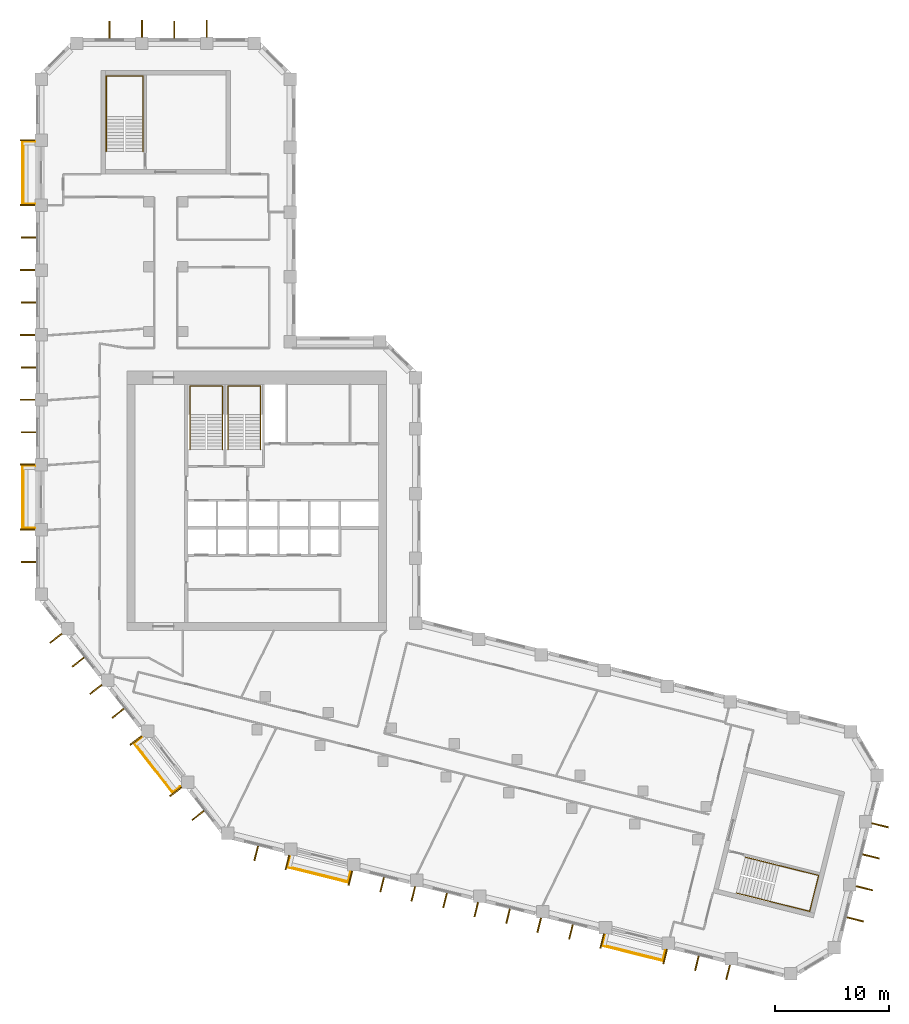
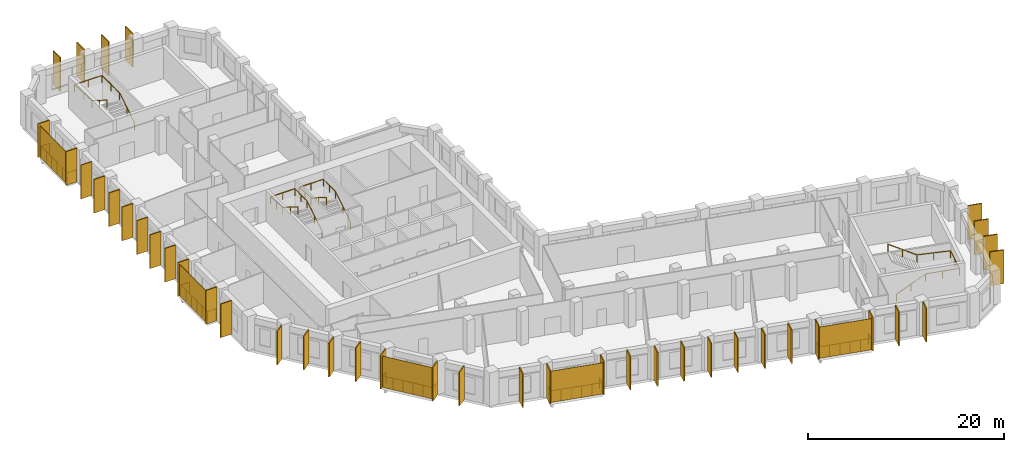
# One storey, part 10 of 10: 46 shading devices, 9 railings.
"""IFC4 building model written with IfcOpenShell, lengths in metres."""

from ifc_helpers import new_model, si_unit, direction, frame, origin, origin_2d, place, context, subcontext, project, spatial, rectangle, circle, extrude, material, layer, layer_set, type_object, element, save


model = new_model("IFC4")

# Units and contexts
model_context = context("Model", 3, precision=1e-05, world=origin(), true_north=direction((0.0, 1.0)))
body_context = subcontext(model_context, "Body", "Model", "MODEL_VIEW")
ifc_project = project(units=[si_unit("LENGTHUNIT", "METRE"), si_unit("AREAUNIT", "SQUARE_METRE"), si_unit("VOLUMEUNIT", "CUBIC_METRE"), si_unit("PLANEANGLEUNIT", "RADIAN"), si_unit("MASSUNIT", "GRAM", prefix="KILO")], contexts=[model_context])

# Site, building, storey
site_placement = place(None, origin())
site = spatial("IfcSite", under=ifc_project, at=site_placement, CompositionType="ELEMENT")
building_placement = place(site_placement, origin())
building = spatial("IfcBuilding", under=site, at=building_placement, Name="Meshkara Civic Tower", CompositionType="ELEMENT")
storey_placement = place(building_placement, frame((0.0, 0.0, 276.0)))
storey = spatial("IfcBuildingStorey", under=building, at=storey_placement, Name="L63", CompositionType="ELEMENT", Elevation=276.0)

# Railings
ifc_material_1 = material(Name="Steel S355", Category="steel")
railing_type_1 = type_object("IfcRailingType", Name="BALUSTRADE GUARD 1400", PredefinedType="BALUSTRADE", material=ifc_material_1)
for number, where, name in (
    (1, (-0.10009765625, 57.034912109375, 0.0), "Balcony guard"),
    (2, (-0.10009765625, 28.534912109375, 0.0), "Balcony guard"),
):
    element("IfcRailing", number, at=place(storey_placement, frame(where)), inside=storey, type_object=railing_type_1, Name=name, PredefinedType="BALUSTRADE", context=body_context, shape_type="SweptSolid", body=[
        extrude(circle(Radius=0.02392578125, at=origin_2d()), frame((0.0, 0.0, 1.3759765625), z_axis=(-1.0, 0.0, 0.0), x_axis=(0.0, -1.0, 0.0)), (0.0, 0.0, 1.0), 1.010009765625),
        extrude(circle(Radius=0.02392578125, at=origin_2d()), frame((-1.010009765625, 0.0, 1.3759765625), z_axis=(0.0, -1.0, 0.0), x_axis=(1.0, 0.0, 0.0)), (0.0, 0.0, 1.0), 5.4599609375),
        extrude(circle(Radius=0.02392578125, at=origin_2d()), frame((-1.010009765625, -5.4599609375, 1.3759765625), z_axis=(1.0, 0.0, 0.0), x_axis=(0.0, 1.0, 0.0)), (0.0, 0.0, 1.0), 1.010009765625),
        extrude(circle(Radius=0.02099609375, at=origin_2d()), origin(), (0.0, 0.0, 1.0), 1.351806640625),
        extrude(circle(Radius=0.02099609375, at=origin_2d()), frame((-1.010009765625, 0.0, 0.0)), (0.0, 0.0, 1.0), 1.351806640625),
        extrude(circle(Radius=0.02099609375, at=origin_2d()), frame((-1.010009765625, -1.092041015625, 0.0)), (0.0, 0.0, 1.0), 1.351806640625),
        extrude(circle(Radius=0.02099609375, at=origin_2d()), frame((-1.010009765625, -2.18408203125, 0.0)), (0.0, 0.0, 1.0), 1.351806640625),
        extrude(circle(Radius=0.02099609375, at=origin_2d()), frame((-1.010009765625, -3.27587890625, 0.0)), (0.0, 0.0, 1.0), 1.351806640625),
        extrude(circle(Radius=0.02099609375, at=origin_2d()), frame((-1.010009765625, -4.367919921875, 0.0)), (0.0, 0.0, 1.0), 1.351806640625),
        extrude(circle(Radius=0.02099609375, at=origin_2d()), frame((-1.010009765625, -5.4599609375, 0.0)), (0.0, 0.0, 1.0), 1.351806640625),
        extrude(circle(Radius=0.02099609375, at=origin_2d()), frame((0.0, -5.4599609375, 0.0)), (0.0, 0.0, 1.0), 1.351806640625),
    ])
railing_1_placement = place(storey_placement, frame((9.299072265625, 4.675048828125, 0.0)))
element("IfcRailing", 3, at=railing_1_placement, inside=storey, type_object=railing_type_1, Name="Balcony guard", PredefinedType="BALUSTRADE", context=body_context, shape_type="SweptSolid", body=[
    extrude(circle(Radius=0.02392578125, at=origin_2d()), frame((0.0, 0.0, 1.3759765625), z_axis=(-0.788099513408, -0.615547851078, 0.0), x_axis=(0.615547851078, -0.788099513408, 0.0)), (0.0, 0.0, 1.0), 0.7880859375),
    extrude(circle(Radius=0.02392578125, at=origin_2d()), frame((-0.62109375, -0.485107421875, 1.3759765625), z_axis=(0.615660530481, -0.788011491799, 0.0), x_axis=(0.788011491799, 0.615660530481, 0.0)), (0.0, 0.0, 1.0), 5.459228515625),
    extrude(circle(Radius=0.02392578125, at=origin_2d()), frame((2.739990234375, -4.787109375, 1.3759765625), z_axis=(0.787982092171, 0.615698158531, 0.0), x_axis=(-0.615698158531, 0.787982092171, 0.0)), (0.0, 0.0, 1.0), 0.787841796875),
    extrude(circle(Radius=0.02099609375, at=origin_2d()), origin(), (0.0, 0.0, 1.0), 1.351806640625),
    extrude(circle(Radius=0.02099609375, at=origin_2d()), frame((-0.62109375, -0.485107421875, 0.0)), (0.0, 0.0, 1.0), 1.351806640625),
    extrude(circle(Radius=0.02099609375, at=origin_2d()), frame((0.051025390625, -1.345458984375, 0.0)), (0.0, 0.0, 1.0), 1.351806640625),
    extrude(circle(Radius=0.02099609375, at=origin_2d()), frame((0.723388671875, -2.205810546875, 0.0)), (0.0, 0.0, 1.0), 1.351806640625),
    extrude(circle(Radius=0.02099609375, at=origin_2d()), frame((1.3955078125, -3.06640625, 0.0)), (0.0, 0.0, 1.0), 1.351806640625),
    extrude(circle(Radius=0.02099609375, at=origin_2d()), frame((2.06787109375, -3.9267578125, 0.0)), (0.0, 0.0, 1.0), 1.351806640625),
    extrude(circle(Radius=0.02099609375, at=origin_2d()), frame((2.739990234375, -4.787109375, 0.0)), (0.0, 0.0, 1.0), 1.351806640625),
    extrude(circle(Radius=0.02099609375, at=origin_2d()), frame((3.36083984375, -4.302001953125, 0.0)), (0.0, 0.0, 1.0), 1.351806640625),
])
railing_2_placement = place(storey_placement, frame((22.3369140625, -5.79296875, 0.0)))
element("IfcRailing", 4, at=railing_2_placement, inside=storey, type_object=railing_type_1, Name="Balcony guard", PredefinedType="BALUSTRADE", context=body_context, shape_type="SweptSolid", body=[
    extrude(circle(Radius=0.02392578125, at=origin_2d()), frame((0.0, 0.0, 1.3759765625), z_axis=(-0.241827521386, -0.970319251535, 0.0), x_axis=(0.970319251535, -0.241827521386, 0.0)), (0.0, 0.0, 1.0), 0.892333984375),
    extrude(circle(Radius=0.02392578125, at=origin_2d()), frame((-0.2158203125, -0.865966796875, 1.3759765625), z_axis=(0.970279141219, -0.24198840492, 0.0), x_axis=(0.24198840492, 0.970279141219, 0.0)), (0.0, 0.0, 1.0), 5.459228515625),
    extrude(circle(Radius=0.02392578125, at=origin_2d()), frame((5.0810546875, -2.18701171875, 1.3759765625), z_axis=(0.241828319243, 0.97031905269, 0.0), x_axis=(-0.97031905269, 0.241828319243, 0.0)), (0.0, 0.0, 1.0), 0.8935546875),
    extrude(circle(Radius=0.02099609375, at=origin_2d()), origin(), (0.0, 0.0, 1.0), 1.351806640625),
    extrude(circle(Radius=0.02099609375, at=origin_2d()), frame((-0.2158203125, -0.865966796875, 0.0)), (0.0, 0.0, 1.0), 1.351806640625),
    extrude(circle(Radius=0.02099609375, at=origin_2d()), frame((0.843505859375, -1.130126953125, 0.0)), (0.0, 0.0, 1.0), 1.351806640625),
    extrude(circle(Radius=0.02099609375, at=origin_2d()), frame((1.90283203125, -1.394287109375, 0.0)), (0.0, 0.0, 1.0), 1.351806640625),
    extrude(circle(Radius=0.02099609375, at=origin_2d()), frame((2.96240234375, -1.65869140625, 0.0)), (0.0, 0.0, 1.0), 1.351806640625),
    extrude(circle(Radius=0.02099609375, at=origin_2d()), frame((4.021728515625, -1.9228515625, 0.0)), (0.0, 0.0, 1.0), 1.351806640625),
    extrude(circle(Radius=0.02099609375, at=origin_2d()), frame((5.0810546875, -2.18701171875, 0.0)), (0.0, 0.0, 1.0), 1.351806640625),
    extrude(circle(Radius=0.02099609375, at=origin_2d()), frame((5.297119140625, -1.320068359375, 0.0)), (0.0, 0.0, 1.0), 1.351806640625),
])
railing_3_placement = place(storey_placement, frame((49.989990234375, -12.68701171875, 0.0)))
element("IfcRailing", 5, at=railing_3_placement, inside=storey, type_object=railing_type_1, Name="Balcony guard", PredefinedType="BALUSTRADE", context=body_context, shape_type="SweptSolid", body=[
    extrude(circle(Radius=0.02392578125, at=origin_2d()), frame((0.0, 0.0, 1.3759765625), z_axis=(-0.241828319243, -0.97031905269, 0.0), x_axis=(0.97031905269, -0.241828319243, 0.0)), (0.0, 0.0, 1.0), 0.8935546875),
    extrude(circle(Radius=0.02392578125, at=origin_2d()), frame((-0.216064453125, -0.866943359375, 1.3759765625), z_axis=(0.970292231073, -0.24193591366, 0.0), x_axis=(0.24193591366, 0.970292231073, 0.0)), (0.0, 0.0, 1.0), 5.460205078125),
    extrude(circle(Radius=0.02392578125, at=origin_2d()), frame((5.08203125, -2.18798828125, 1.3759765625), z_axis=(0.241828319243, 0.97031905269, 0.0), x_axis=(-0.97031905269, 0.241828319243, 0.0)), (0.0, 0.0, 1.0), 0.8935546875),
    extrude(circle(Radius=0.02099609375, at=origin_2d()), origin(), (0.0, 0.0, 1.0), 1.351806640625),
    extrude(circle(Radius=0.02099609375, at=origin_2d()), frame((-0.216064453125, -0.866943359375, 0.0)), (0.0, 0.0, 1.0), 1.351806640625),
    extrude(circle(Radius=0.02099609375, at=origin_2d()), frame((0.843505859375, -1.131103515625, 0.0)), (0.0, 0.0, 1.0), 1.351806640625),
    extrude(circle(Radius=0.02099609375, at=origin_2d()), frame((1.903076171875, -1.395263671875, 0.0)), (0.0, 0.0, 1.0), 1.351806640625),
    extrude(circle(Radius=0.02099609375, at=origin_2d()), frame((2.962890625, -1.65966796875, 0.0)), (0.0, 0.0, 1.0), 1.351806640625),
    extrude(circle(Radius=0.02099609375, at=origin_2d()), frame((4.0224609375, -1.923828125, 0.0)), (0.0, 0.0, 1.0), 1.351806640625),
    extrude(circle(Radius=0.02099609375, at=origin_2d()), frame((5.08203125, -2.18798828125, 0.0)), (0.0, 0.0, 1.0), 1.351806640625),
    extrude(circle(Radius=0.02099609375, at=origin_2d()), frame((5.298095703125, -1.321044921875, 0.0)), (0.0, 0.0, 1.0), 1.351806640625),
])

# Shading devices
ifc_material_2 = material(Name="Bronze anodised aluminium", Category="aluminium")
ifc_layer_1 = layer(ifc_material_2, 0.1201171875)
ifc_layer_set_1 = layer_set([ifc_layer_1], Name="BRONZE FIN 1300")
shading_device_type_1 = type_object("IfcShadingDeviceType", Name="BRONZE FIN 1300", PredefinedType="USERDEFINED", material=ifc_layer_set_1)
for number, where, z_axis, x_axis, name in (
    (6, (-0.75, 57.155029296875, 0.0), (0.0, 0.0, 1.0), (0.0, -1.0, 0.0), "Fin"),
    (7, (-0.75, 51.455078125, 0.0), (0.0, 0.0, 1.0), (0.0, -1.0, 0.0), "Fin"),
    (8, (-0.64990234375, 48.60498046875, 0.0), (0.0, 0.0, 1.0), (0.0, -1.0, 0.0), "Fin"),
    (9, (-0.75, 45.7548828125, 0.0), (0.0, 0.0, 1.0), (0.0, -1.0, 0.0), "Fin"),
    (10, (-0.64990234375, 42.905029296875, 0.0), (0.0, 0.0, 1.0), (0.0, -1.0, 0.0), "Fin"),
    (11, (-0.75, 40.054931640625, 0.0), (0.0, 0.0, 1.0), (0.0, -1.0, 0.0), "Fin"),
    (12, (-0.64990234375, 37.205078125, 0.0), (0.0, 0.0, 1.0), (0.0, -1.0, 0.0), "Fin"),
    (13, (-0.75, 34.35498046875, 0.0), (0.0, 0.0, 1.0), (0.0, -1.0, 0.0), "Fin"),
    (14, (-0.64990234375, 31.5048828125, 0.0), (0.0, 0.0, 1.0), (0.0, -1.0, 0.0), "Fin"),
    (15, (-0.75, 28.655029296875, 0.0), (0.0, 0.0, 1.0), (0.0, -1.0, 0.0), "Fin"),
    (16, (-0.75, 22.955078125, 0.0), (0.0, 0.0, 1.0), (0.0, -1.0, 0.0), "Fin"),
    (17, (-0.64990234375, 20.10498046875, 0.0), (0.0, 0.0, 1.0), (0.0, -1.0, 0.0), "Fin"),
    (18, (1.751953125, 13.39892578125, 0.0), (0.0, 0.0, 1.0), (0.615661475326, -0.788010753607, 0.0), "Fin"),
    (19, (3.701904296875, 11.305908203125, 0.0), (0.0, 0.0, 1.0), (0.615661475326, -0.788010753607, 0.0), "Fin"),
    (20, (5.260986328125, 8.906982421875, 0.0), (0.0, 0.0, 1.0), (0.615661475326, -0.788010753607, 0.0), "Fin"),
    (21, (7.2109375, 6.81396484375, 0.0), (0.0, 0.0, 1.0), (0.615661475326, -0.788010753607, 0.0), "Fin"),
    (22, (8.77099609375, 4.4150390625, 0.0), (0.0, 0.0, 1.0), (0.615661475326, -0.788010753607, 0.0), "Fin"),
    (23, (12.280029296875, -0.075927734375, 0.0), (0.0, 0.0, 1.0), (0.615661475326, -0.788010753607, 0.0), "Fin"),
    (24, (14.22998046875, -2.1689453125, 0.0), (0.0, 0.0, 1.0), (0.615661475326, -0.788010753607, 0.0), "Fin"),
    (25, (19.35009765625, -5.4951171875, 0.0), (0.0, 0.0, 1.0), (0.970299948462, -0.241904960708, 0.0), "Fin"),
    (26, (22.087890625, -6.298095703125, 0.0), (0.0, 0.0, 1.0), (0.970299948462, -0.241904960708, 0.0), "Fin"),
    (27, (27.617919921875, -7.677001953125, 0.0), (0.0, 0.0, 1.0), (0.970299948462, -0.241904960708, 0.0), "Fin"),
    (28, (30.412109375, -8.251953125, 0.0), (0.0, 0.0, 1.0), (0.970299948462, -0.241904960708, 0.0), "Fin"),
    (29, (33.14892578125, -9.055908203125, 0.0), (0.0, 0.0, 1.0), (0.970299948462, -0.241904960708, 0.0), "Fin"),
    (30, (35.94189453125, -9.631103515625, 0.0), (0.0, 0.0, 1.0), (0.970299948462, -0.241904960708, 0.0), "Fin"),
    (31, (38.679931640625, -10.43408203125, 0.0), (0.0, 0.0, 1.0), (0.970299948462, -0.241904960708, 0.0), "Fin"),
    (32, (41.472900390625, -11.010009765625, 0.0), (0.0, 0.0, 1.0), (0.970299948462, -0.241904960708, 0.0), "Fin"),
    (33, (44.2109375, -11.81298828125, 0.0), (0.0, 0.0, 1.0), (0.970299948462, -0.241904960708, 0.0), "Fin"),
    (34, (47.00390625, -12.388916015625, 0.0), (0.0, 0.0, 1.0), (0.970299948462, -0.241904960708, 0.0), "Fin"),
    (35, (49.740966796875, -13.19189453125, 0.0), (0.0, 0.0, 1.0), (0.970299948462, -0.241904960708, 0.0), "Fin"),
    (36, (55.27197265625, -14.571044921875, 0.0), (0.0, 0.0, 1.0), (0.970299948462, -0.241904960708, 0.0), "Fin"),
    (37, (58.06494140625, -15.14697265625, 0.0), (0.0, 0.0, 1.0), (0.970299948462, -0.241904960708, 0.0), "Fin"),
    (38, (60.802978515625, -15.949951171875, 0.0), (0.0, 0.0, 1.0), (0.970299948462, -0.241904960708, 0.0), "Fin"),
):
    element("IfcShadingDevice", number, at=place(storey_placement, frame(where, z_axis=z_axis, x_axis=x_axis)), inside=storey, type_object=shading_device_type_1, Name=name, ObjectType="FIN", PredefinedType="USERDEFINED", context=body_context, shape_type="SweptSolid", body=[
        extrude(rectangle(XDim=0.1201171875, YDim=1.300048828125, at=origin_2d()), origin(), (0.0, 0.0, 1.0), 4.199951171875),
    ])
ifc_material_3 = material(Name="Bronze anodised aluminium", Category="aluminium")
ifc_layer_2 = layer(ifc_material_3, 0.1201171875)
ifc_layer_set_2 = layer_set([ifc_layer_2], Name="BRONZE FIN 1500")
shading_device_type_2 = type_object("IfcShadingDeviceType", Name="BRONZE FIN 1500", PredefinedType="USERDEFINED", material=ifc_layer_set_2)
for number, where, z_axis, x_axis, name in (
    (39, (15.006103515625, 66.969970703125, 0.0), (0.0, 0.0, 1.0), (-1.0, 0.0, 0.0), "Fin"),
    (40, (12.156005859375, 66.8701171875, 0.0), (0.0, 0.0, 1.0), (-1.0, 0.0, 0.0), "Fin"),
    (41, (9.305908203125, 66.969970703125, 0.0), (0.0, 0.0, 1.0), (-1.0, 0.0, 0.0), "Fin"),
    (42, (6.4560546875, 66.8701171875, 0.0), (0.0, 0.0, 1.0), (-1.0, 0.0, 0.0), "Fin"),
    (43, (71.97607421875, -11.291015625, 0.0), (0.0, 0.0, 1.0), (0.2419218956, 0.970295726276, 0.0), "Fin"),
    (44, (72.779052734375, -8.553955078125, 0.0), (0.0, 0.0, 1.0), (0.2419218956, 0.970295726276, 0.0), "Fin"),
    (45, (73.35498046875, -5.760009765625, 0.0), (0.0, 0.0, 1.0), (0.2419218956, 0.970295726276, 0.0), "Fin"),
    (46, (74.157958984375, -3.02392578125, 0.0), (0.0, 0.0, 1.0), (0.2419218956, 0.970295726276, 0.0), "Fin"),
):
    element("IfcShadingDevice", number, at=place(storey_placement, frame(where, z_axis=z_axis, x_axis=x_axis)), inside=storey, type_object=shading_device_type_2, Name=name, ObjectType="FIN", PredefinedType="USERDEFINED", context=body_context, shape_type="SweptSolid", body=[
        extrude(rectangle(XDim=0.1201171875, YDim=1.5, at=origin_2d()), origin(), (0.0, 0.0, 1.0), 4.199951171875),
    ])
ifc_material_4 = material(Name="Perforated bronze anodised aluminium sheet", Category="aluminium")
ifc_layer_3 = layer(ifc_material_4, 0.0400390625)
ifc_layer_set_3 = layer_set([ifc_layer_3], Name="PERFORATED BRONZE SCREEN")
shading_device_type_3 = type_object("IfcShadingDeviceType", Name="PERFORATED BRONZE SCREEN", PredefinedType="USERDEFINED", material=ifc_layer_set_3)
for number, where, z_axis, x_axis, name in (
    (47, (-1.179931640625, 54.304931640625, 0.0), (0.0, 0.0, 1.0), (0.0, -1.0, 0.0), "Balcony screen"),
    (48, (-1.179931640625, 25.804931640625, 0.0), (0.0, 0.0, 1.0), (0.0, -1.0, 0.0), "Balcony screen"),
):
    element("IfcShadingDevice", number, at=place(storey_placement, frame(where, z_axis=z_axis, x_axis=x_axis)), inside=storey, type_object=shading_device_type_3, Name=name, ObjectType="SCREEN", PredefinedType="USERDEFINED", context=body_context, shape_type="SweptSolid", body=[
        extrude(rectangle(XDim=5.580078125, YDim=0.0400390625, at=origin_2d()), origin(), (0.0, 0.0, 1.0), 3.89990234375),
    ])
for number, where, z_axis, x_axis, name in (
    (49, (10.302978515625, 1.99609375, 0.0), (0.0, 0.0, 1.0), (0.615661475326, -0.788010753607, 0.0), "Balcony screen"),
    (50, (24.7529296875, -7.387939453125, 0.0), (0.0, 0.0, 1.0), (0.970299948462, -0.241904960708, 0.0), "Balcony screen"),
):
    element("IfcShadingDevice", number, at=place(storey_placement, frame(where, z_axis=z_axis, x_axis=x_axis)), inside=storey, type_object=shading_device_type_3, Name=name, ObjectType="SCREEN", PredefinedType="USERDEFINED", context=body_context, shape_type="SweptSolid", body=[
        extrude(rectangle(XDim=5.5791015625, YDim=0.0400390625, at=origin_2d()), origin(), (0.0, 0.0, 1.0), 3.89990234375),
    ])
shading_device_placement = place(storey_placement, frame((52.406005859375, -14.281982421875, 0.0), z_axis=(0.0, 0.0, 1.0), x_axis=(0.970299948462, -0.241904960708, 0.0)))
element("IfcShadingDevice", 51, at=shading_device_placement, inside=storey, type_object=shading_device_type_3, Name="Balcony screen", ObjectType="SCREEN", PredefinedType="USERDEFINED", context=body_context, shape_type="SweptSolid", body=[
    extrude(rectangle(XDim=5.580078125, YDim=0.0400390625, at=origin_2d()), origin(), (0.0, 0.0, 1.0), 3.89990234375),
])

# Railings
ifc_material_5 = material(Name="Steel handrail", Category="steel")
railing_type_2 = type_object("IfcRailingType", Name="Stair handrail 900", PredefinedType="HANDRAIL", material=ifc_material_5)
railing_4_placement = place(storey_placement, frame((16.375, 30.0, 0.175048828125)))
element("IfcRailing", 52, at=railing_4_placement, inside=storey, type_object=railing_type_2, Name="L63 ST1 stair handrail 1", PredefinedType="HANDRAIL", context=body_context, shape_type="SweptSolid", body=[
    extrude(circle(Radius=0.02392578125, at=origin_2d()), frame((0.0, 0.0, 0.8759765625), z_axis=(0.0, 0.847998304005, 0.529998940003), x_axis=(-1.0, 0.0, 0.0)), (0.0, 0.0, 1.0), 3.632080078125),
    extrude(circle(Radius=0.02392578125, at=origin_2d()), frame((0.0, 3.080078125, 2.80078125), z_axis=(0.0, 1.0, 0.0), x_axis=(-1.0, 0.0, 0.0)), (0.0, 0.0, 1.0), 2.469970703125),
    extrude(circle(Radius=0.02392578125, at=origin_2d()), frame((0.0, 5.550048828125, 2.80078125), z_axis=(-1.0, 0.0, 0.0), x_axis=(0.0, -1.0, 0.0)), (0.0, 0.0, 1.0), 2.85009765625),
    extrude(circle(Radius=0.02392578125, at=origin_2d()), frame((-2.85009765625, 5.550048828125, 2.80078125), z_axis=(0.0, -0.997505032726, 0.070595394231), x_axis=(1.0, 0.0, 0.0)), (0.0, 0.0, 1.0), 2.47607421875),
    extrude(circle(Radius=0.02392578125, at=origin_2d()), frame((-2.85009765625, 3.080078125, 2.9755859375), z_axis=(0.0, -0.847998304005, 0.529998940003), x_axis=(1.0, 0.0, 0.0)), (0.0, 0.0, 1.0), 3.632080078125),
    extrude(circle(Radius=0.02099609375, at=origin_2d()), origin(), (0.0, 0.0, 1.0), 0.851806640625),
    extrude(circle(Radius=0.02099609375, at=origin_2d()), frame((0.0, 1.5400390625, 0.96240234375)), (0.0, 0.0, 1.0), 0.851806640625),
    extrude(circle(Radius=0.02099609375, at=origin_2d()), frame((0.0, 3.080078125, 1.925048828125)), (0.0, 0.0, 1.0), 0.851806640625),
    extrude(circle(Radius=0.02099609375, at=origin_2d()), frame((0.0, 4.31494140625, 1.925048828125)), (0.0, 0.0, 1.0), 0.851806640625),
    extrude(circle(Radius=0.02099609375, at=origin_2d()), frame((0.0, 5.550048828125, 1.925048828125)), (0.0, 0.0, 1.0), 0.851806640625),
    extrude(circle(Radius=0.02099609375, at=origin_2d()), frame((-1.425048828125, 5.550048828125, 1.925048828125)), (0.0, 0.0, 1.0), 0.851806640625),
    extrude(circle(Radius=0.02099609375, at=origin_2d()), frame((-2.85009765625, 5.550048828125, 1.925048828125)), (0.0, 0.0, 1.0), 0.851806640625),
    extrude(circle(Radius=0.02099609375, at=origin_2d()), frame((-2.85009765625, 4.31494140625, 2.012451171875)), (0.0, 0.0, 1.0), 0.851806640625),
    extrude(circle(Radius=0.02099609375, at=origin_2d()), frame((-2.85009765625, 3.080078125, 2.099853515625)), (0.0, 0.0, 1.0), 0.851806640625),
    extrude(circle(Radius=0.02099609375, at=origin_2d()), frame((-2.85009765625, 1.5400390625, 3.0625)), (0.0, 0.0, 1.0), 0.851806640625),
    extrude(circle(Radius=0.02099609375, at=origin_2d()), frame((-2.85009765625, 0.0, 4.02490234375)), (0.0, 0.0, 1.0), 0.851806640625),
])
railing_5_placement = place(storey_placement, frame((19.72509765625, 30.0, 0.175048828125)))
element("IfcRailing", 53, at=railing_5_placement, inside=storey, type_object=railing_type_2, Name="L63 ST2 stair handrail 1", PredefinedType="HANDRAIL", context=body_context, shape_type="SweptSolid", body=[
    extrude(circle(Radius=0.02392578125, at=origin_2d()), frame((0.0, 0.0, 0.8759765625), z_axis=(0.0, 0.847998304005, 0.529998940003), x_axis=(-1.0, 0.0, 0.0)), (0.0, 0.0, 1.0), 3.632080078125),
    extrude(circle(Radius=0.02392578125, at=origin_2d()), frame((0.0, 3.080078125, 2.80078125), z_axis=(0.0, 1.0, 0.0), x_axis=(-1.0, 0.0, 0.0)), (0.0, 0.0, 1.0), 2.469970703125),
    extrude(circle(Radius=0.02392578125, at=origin_2d()), frame((0.0, 5.550048828125, 2.80078125), z_axis=(-1.0, 0.0, 0.0), x_axis=(0.0, -1.0, 0.0)), (0.0, 0.0, 1.0), 2.85009765625),
    extrude(circle(Radius=0.02392578125, at=origin_2d()), frame((-2.85009765625, 5.550048828125, 2.80078125), z_axis=(0.0, -0.997505032726, 0.070595394231), x_axis=(1.0, 0.0, 0.0)), (0.0, 0.0, 1.0), 2.47607421875),
    extrude(circle(Radius=0.02392578125, at=origin_2d()), frame((-2.85009765625, 3.080078125, 2.9755859375), z_axis=(0.0, -0.847998304005, 0.529998940003), x_axis=(1.0, 0.0, 0.0)), (0.0, 0.0, 1.0), 3.632080078125),
    extrude(circle(Radius=0.02099609375, at=origin_2d()), origin(), (0.0, 0.0, 1.0), 0.851806640625),
    extrude(circle(Radius=0.02099609375, at=origin_2d()), frame((0.0, 1.5400390625, 0.96240234375)), (0.0, 0.0, 1.0), 0.851806640625),
    extrude(circle(Radius=0.02099609375, at=origin_2d()), frame((0.0, 3.080078125, 1.925048828125)), (0.0, 0.0, 1.0), 0.851806640625),
    extrude(circle(Radius=0.02099609375, at=origin_2d()), frame((0.0, 4.31494140625, 1.925048828125)), (0.0, 0.0, 1.0), 0.851806640625),
    extrude(circle(Radius=0.02099609375, at=origin_2d()), frame((0.0, 5.550048828125, 1.925048828125)), (0.0, 0.0, 1.0), 0.851806640625),
    extrude(circle(Radius=0.02099609375, at=origin_2d()), frame((-1.425048828125, 5.550048828125, 1.925048828125)), (0.0, 0.0, 1.0), 0.851806640625),
    extrude(circle(Radius=0.02099609375, at=origin_2d()), frame((-2.85009765625, 5.550048828125, 1.925048828125)), (0.0, 0.0, 1.0), 0.851806640625),
    extrude(circle(Radius=0.02099609375, at=origin_2d()), frame((-2.85009765625, 4.31494140625, 2.012451171875)), (0.0, 0.0, 1.0), 0.851806640625),
    extrude(circle(Radius=0.02099609375, at=origin_2d()), frame((-2.85009765625, 3.080078125, 2.099853515625)), (0.0, 0.0, 1.0), 0.851806640625),
    extrude(circle(Radius=0.02099609375, at=origin_2d()), frame((-2.85009765625, 1.5400390625, 3.0625)), (0.0, 0.0, 1.0), 0.851806640625),
    extrude(circle(Radius=0.02099609375, at=origin_2d()), frame((-2.85009765625, 0.0, 4.02490234375)), (0.0, 0.0, 1.0), 0.851806640625),
])
railing_6_placement = place(storey_placement, frame((9.425048828125, 56.169921875, 0.175048828125)))
element("IfcRailing", 54, at=railing_6_placement, inside=storey, type_object=railing_type_2, Name="L63 ESA4 stair handrail 1", PredefinedType="HANDRAIL", context=body_context, shape_type="SweptSolid", body=[
    extrude(circle(Radius=0.02392578125, at=origin_2d()), frame((0.0, 0.0, 0.8759765625), z_axis=(0.0, 0.847998304005, 0.529998940003), x_axis=(-1.0, 0.0, 0.0)), (0.0, 0.0, 1.0), 3.632080078125),
    extrude(circle(Radius=0.02392578125, at=origin_2d()), frame((0.0, 3.080078125, 2.80078125), z_axis=(0.0, 1.0, 0.0), x_axis=(-1.0, 0.0, 0.0)), (0.0, 0.0, 1.0), 3.570068359375),
    extrude(circle(Radius=0.02392578125, at=origin_2d()), frame((0.0, 6.650146484375, 2.80078125), z_axis=(-1.0, 0.0, 0.0), x_axis=(0.0, -1.0, 0.0)), (0.0, 0.0, 1.0), 3.25),
    extrude(circle(Radius=0.02392578125, at=origin_2d()), frame((-3.25, 6.650146484375, 2.80078125), z_axis=(0.0, -0.998803416417, 0.048905371412), x_axis=(1.0, 0.0, 0.0)), (0.0, 0.0, 1.0), 3.574462890625),
    extrude(circle(Radius=0.02392578125, at=origin_2d()), frame((-3.25, 3.080078125, 2.9755859375), z_axis=(0.0, -0.847998304005, 0.529998940003), x_axis=(1.0, 0.0, 0.0)), (0.0, 0.0, 1.0), 3.632080078125),
    extrude(circle(Radius=0.02099609375, at=origin_2d()), origin(), (0.0, 0.0, 1.0), 0.851806640625),
    extrude(circle(Radius=0.02099609375, at=origin_2d()), frame((0.0, 1.5400390625, 0.96240234375)), (0.0, 0.0, 1.0), 0.851806640625),
    extrude(circle(Radius=0.02099609375, at=origin_2d()), frame((0.0, 3.080078125, 1.925048828125)), (0.0, 0.0, 1.0), 0.851806640625),
    extrude(circle(Radius=0.02099609375, at=origin_2d()), frame((0.0, 4.865234375, 1.925048828125)), (0.0, 0.0, 1.0), 0.851806640625),
    extrude(circle(Radius=0.02099609375, at=origin_2d()), frame((0.0, 6.650146484375, 1.925048828125)), (0.0, 0.0, 1.0), 0.851806640625),
    extrude(circle(Radius=0.02099609375, at=origin_2d()), frame((-1.625, 6.650146484375, 1.925048828125)), (0.0, 0.0, 1.0), 0.851806640625),
    extrude(circle(Radius=0.02099609375, at=origin_2d()), frame((-3.25, 6.650146484375, 1.925048828125)), (0.0, 0.0, 1.0), 0.851806640625),
    extrude(circle(Radius=0.02099609375, at=origin_2d()), frame((-3.25, 4.865234375, 2.012451171875)), (0.0, 0.0, 1.0), 0.851806640625),
    extrude(circle(Radius=0.02099609375, at=origin_2d()), frame((-3.25, 3.080078125, 2.099853515625)), (0.0, 0.0, 1.0), 0.851806640625),
    extrude(circle(Radius=0.02099609375, at=origin_2d()), frame((-3.25, 1.5400390625, 3.0625)), (0.0, 0.0, 1.0), 0.851806640625),
    extrude(circle(Radius=0.02099609375, at=origin_2d()), frame((-3.25, 0.0, 4.02490234375)), (0.0, 0.0, 1.0), 0.851806640625),
])
railing_7_placement = place(storey_placement, frame((61.526123046875, -8.97607421875, 0.175048828125)))
element("IfcRailing", 55, at=railing_7_placement, inside=storey, type_object=railing_type_2, Name="L63 ESB4 stair handrail 1", PredefinedType="HANDRAIL", context=body_context, shape_type="SweptSolid", body=[
    extrude(circle(Radius=0.02392578125, at=origin_2d()), frame((0.0, 0.0, 0.8759765625), z_axis=(0.822771605551, -0.205222362071, 0.530028930537), x_axis=(0.242013336109, 0.97027292302, 0.0)), (0.0, 0.0, 1.0), 3.632080078125),
    extrude(circle(Radius=0.02392578125, at=origin_2d()), frame((2.98828125, -0.745361328125, 2.80078125), z_axis=(0.97025503065, -0.242085058395, 0.0), x_axis=(0.242085058395, 0.97025503065, 0.0)), (0.0, 0.0, 1.0), 3.570068359375),
    extrude(circle(Radius=0.02392578125, at=origin_2d()), frame((6.4521484375, -1.609619140625, 2.80078125), z_axis=(0.242040676986, 0.970266103027, 0.0), x_axis=(-0.970266103027, 0.242040676986, 0.0)), (0.0, 0.0, 1.0), 3.25),
    extrude(circle(Radius=0.02392578125, at=origin_2d()), frame((7.23876953125, 1.543701171875, 2.80078125), z_axis=(-0.969089875828, 0.241811387921, 0.048908743998), x_axis=(-0.24210112213, -0.970251022501, 0.0)), (0.0, 0.0, 1.0), 3.57421875),
    extrude(circle(Radius=0.02392578125, at=origin_2d()), frame((3.775146484375, 2.407958984375, 2.9755859375), z_axis=(-0.822793318929, 0.205211012392, 0.529999617659), x_axis=(-0.24199472324, -0.970277565403, 0.0)), (0.0, 0.0, 1.0), 3.632080078125),
    extrude(circle(Radius=0.02099609375, at=origin_2d()), origin(), (0.0, 0.0, 1.0), 0.851806640625),
    extrude(circle(Radius=0.02099609375, at=origin_2d()), frame((1.494140625, -0.37255859375, 0.96240234375)), (0.0, 0.0, 1.0), 0.851806640625),
    extrude(circle(Radius=0.02099609375, at=origin_2d()), frame((2.98828125, -0.745361328125, 1.925048828125)), (0.0, 0.0, 1.0), 0.851806640625),
    extrude(circle(Radius=0.02099609375, at=origin_2d()), frame((4.72021484375, -1.177490234375, 1.925048828125)), (0.0, 0.0, 1.0), 0.851806640625),
    extrude(circle(Radius=0.02099609375, at=origin_2d()), frame((6.4521484375, -1.609619140625, 1.925048828125)), (0.0, 0.0, 1.0), 0.851806640625),
    extrude(circle(Radius=0.02099609375, at=origin_2d()), frame((6.845458984375, -0.032958984375, 1.925048828125)), (0.0, 0.0, 1.0), 0.851806640625),
    extrude(circle(Radius=0.02099609375, at=origin_2d()), frame((7.23876953125, 1.543701171875, 1.925048828125)), (0.0, 0.0, 1.0), 0.851806640625),
    extrude(circle(Radius=0.02099609375, at=origin_2d()), frame((5.5068359375, 1.975830078125, 2.012451171875)), (0.0, 0.0, 1.0), 0.851806640625),
    extrude(circle(Radius=0.02099609375, at=origin_2d()), frame((3.775146484375, 2.407958984375, 2.099853515625)), (0.0, 0.0, 1.0), 0.851806640625),
    extrude(circle(Radius=0.02099609375, at=origin_2d()), frame((2.28076171875, 2.78076171875, 3.0625)), (0.0, 0.0, 1.0), 0.851806640625),
    extrude(circle(Radius=0.02099609375, at=origin_2d()), frame((0.78662109375, 3.1533203125, 4.02490234375)), (0.0, 0.0, 1.0), 0.851806640625),
])

save(model, "model.ifc")
